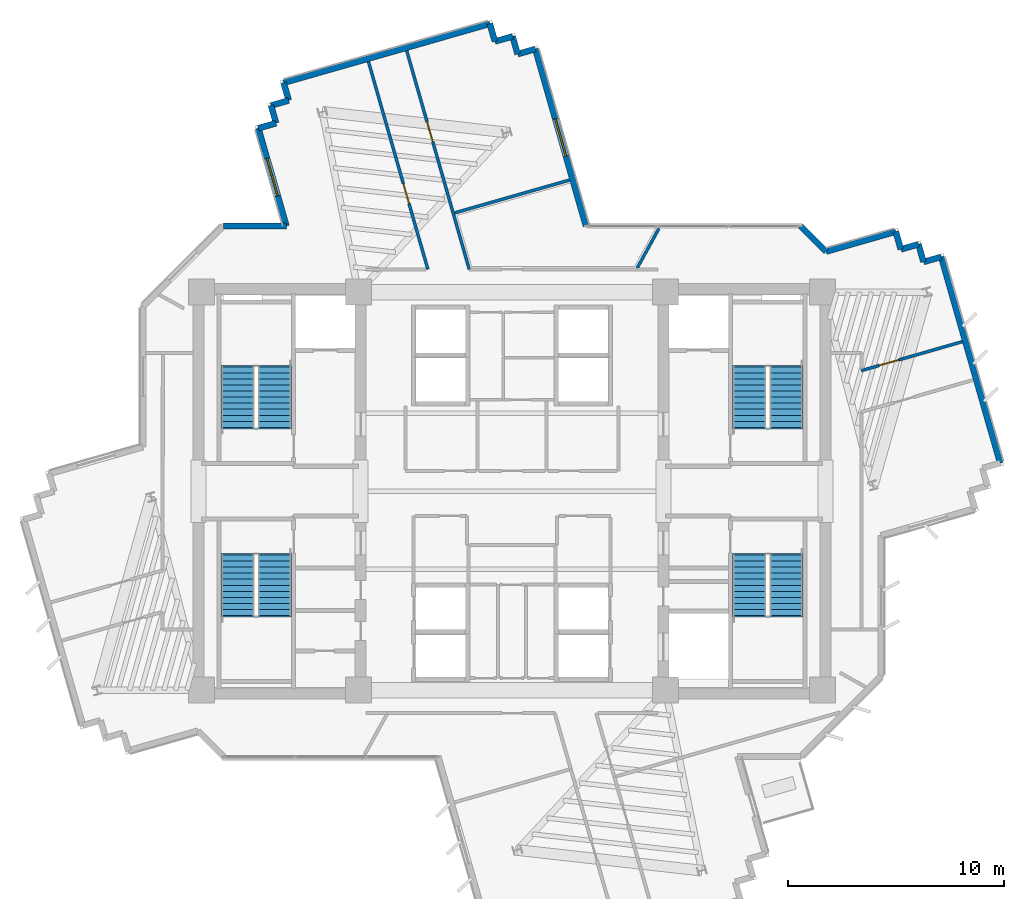
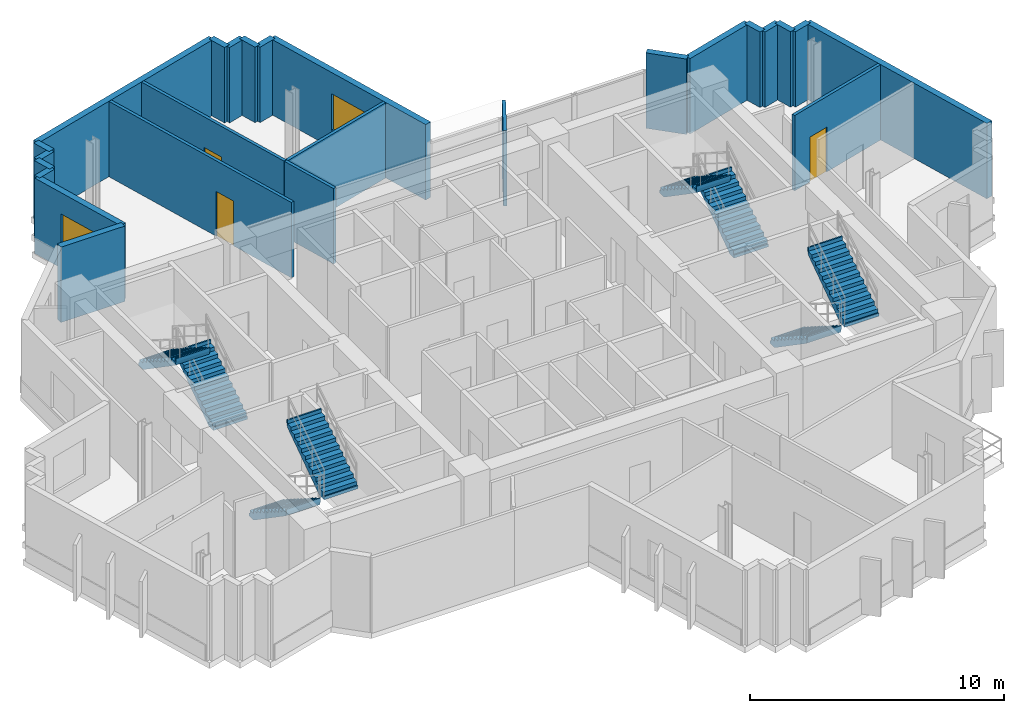
# One storey, part 9 of 14: 25 walls, 8 stair flights, 3 doors, 2 windows, 5 openings, 4 elements without a shape of their own.
"""IFC4 building model written with IfcOpenShell, lengths in metres."""

from ifc_helpers import new_model, si_unit, direction, frame, frame_2d, origin, place, context, subcontext, project, spatial, polyline, rectangle, outline, extrude, source, transform, mapped, material, layer, layer_set, type_object, element, fill, aggregate, save


model = new_model("IFC4")

# Units and contexts
model_context = context("Model", 3, precision=1e-05, world=origin(), true_north=direction((0.0, 1.0)))
body_context = subcontext(model_context, "Body", "Model", "MODEL_VIEW")
ifc_project = project(units=[si_unit("LENGTHUNIT", "METRE"), si_unit("AREAUNIT", "SQUARE_METRE"), si_unit("VOLUMEUNIT", "CUBIC_METRE"), si_unit("PLANEANGLEUNIT", "RADIAN"), si_unit("MASSUNIT", "GRAM", prefix="KILO")], contexts=[model_context])

# Site, building, storey
site_placement = place(None, origin())
site = spatial("IfcSite", under=ifc_project, at=site_placement, CompositionType="ELEMENT")
building_placement = place(site_placement, origin())
building = spatial("IfcBuilding", under=site, at=building_placement, Name="Zahravan Cultural Tower", CompositionType="ELEMENT")
storey_placement = place(building_placement, frame((0.0, 0.0, 209.699951171875)))
storey = spatial("IfcBuildingStorey", under=building, at=storey_placement, Name="L49", CompositionType="ELEMENT", Elevation=209.699951171875)

# Wall, opening, window
ifc_material_1 = material(Name="Precast concrete C40/50", Category="concrete")
ifc_layer_1 = layer(ifc_material_1, 0.280029296875)
ifc_layer_set_1 = layer_set([ifc_layer_1], Name="Precast concrete C40/50")
wall_type_1 = type_object("IfcWallType", Name="EW-TC-280", PredefinedType="SOLIDWALL", material=ifc_layer_set_1)
wall_1_placement = place(storey_placement, frame((25.56689453125, 39.260009765625, 0.0), z_axis=(0.0, 0.0, 1.0), x_axis=(-0.274981611661, 0.961449485542, 0.0)))
wall_1 = element("IfcWall", 1, at=wall_1_placement, inside=storey, type_object=wall_type_1, Name="L49 Exterior Masonry Frame Wall 41", PredefinedType="SOLIDWALL", context=body_context, shape_type="SweptSolid", body=[
    extrude(rectangle(XDim=4.703857421875, YDim=0.280029296875, at=frame_2d((2.35205078125, 0.0))), origin(), (0.0, 0.0, 1.0), 3.6201171875),
])
opening_1_placement = place(wall_1_placement, frame((1.451904296875, 0.0, 0.85009765625)))
opening_1 = element("IfcOpeningElement", 2, at=opening_1_placement, cuts=wall_1, Name="Opening WN-02", PredefinedType="OPENING", context=body_context, shape_type="SweptSolid", body=[
    extrude(rectangle(XDim=1.800048828125, YDim=1.75, at=frame_2d((0.89990234375, 0.875))), frame((0.0, 0.14990234375, 0.0), z_axis=(0.0, -1.0, 0.0), x_axis=(1.0, 0.0, 0.0)), (0.0, 0.0, 1.0), 0.300048828125),
])
ifc_material_2 = material(Name="Low-E solar-control double glazing", Category="glass")
window_type = type_object("IfcWindowType", Name="WN-REC-1800X1750", PartitioningType="DOUBLE_PANEL_VERTICAL", PredefinedType="WINDOW", material=ifc_material_2)
shared_shape_1 = source(origin(), body_context, "Body", "SweptSolid", [
    extrude(rectangle(XDim=1.800048828125, YDim=1.75, at=frame_2d((0.89990234375, 0.875))), frame((0.0, 0.030029296875, 0.0), z_axis=(0.0, -1.0, 0.0), x_axis=(1.0, 0.0, 0.0)), (0.0, 0.0, 1.0), 0.06005859375),
])
window_1_placement = place(opening_1_placement, origin())
window_1 = element("IfcWindow", 3, at=window_1_placement, inside=storey, type_object=window_type, Name="L49 Recessed Solar Window 07", OverallHeight=1.75, OverallWidth=1.800048828125, PartitioningType="DOUBLE_PANEL_VERTICAL", PredefinedType="WINDOW", context=body_context, shape_type="MappedRepresentation", body=[
    mapped(shared_shape_1, transform((0.0, 0.0, 0.0), x_axis=(1.0, 0.0, 0.0), y_axis=(0.0, 1.0, 0.0), z_axis=(0.0, 0.0, 1.0), scale=1.0)),
])
fill(opening_1, window_1)

wall_2_placement = place(storey_placement, frame((37.079833984375, 47.445068359375, 0.0), z_axis=(0.0, 0.0, 1.0), x_axis=(0.27496352843, -0.961454657295, 0.0)))
wall_2 = element("IfcWall", 4, at=wall_2_placement, inside=storey, type_object=wall_type_1, Name="L49 Exterior Masonry Frame Wall 51", PredefinedType="SOLIDWALL", context=body_context, shape_type="SweptSolid", body=[
    extrude(rectangle(XDim=8.51318359375, YDim=0.280029296875, at=frame_2d((4.256591796875, 0.0))), origin(), (0.0, 0.0, 1.0), 3.6201171875),
])
opening_2_placement = place(wall_2_placement, frame((3.35693359375, 0.0, 0.85009765625)))
opening_2 = element("IfcOpeningElement", 5, at=opening_2_placement, cuts=wall_2, Name="Opening WN-02", PredefinedType="OPENING", context=body_context, shape_type="SweptSolid", body=[
    extrude(rectangle(XDim=1.800048828125, YDim=1.75, at=frame_2d((0.89990234375, 0.875))), frame((0.0, 0.14990234375, 0.0), z_axis=(0.0, -1.0, 0.0), x_axis=(1.0, 0.0, 0.0)), (0.0, 0.0, 1.0), 0.300048828125),
])
window_2_placement = place(opening_2_placement, origin())
window_2 = element("IfcWindow", 6, at=window_2_placement, inside=storey, type_object=window_type, Name="L49 Recessed Solar Window 08", OverallHeight=1.75, OverallWidth=1.800048828125, PartitioningType="DOUBLE_PANEL_VERTICAL", PredefinedType="WINDOW", context=body_context, shape_type="MappedRepresentation", body=[
    mapped(shared_shape_1, transform((0.0, 0.0, 0.0), x_axis=(1.0, 0.0, 0.0), y_axis=(0.0, 1.0, 0.0), z_axis=(0.0, 0.0, 1.0), scale=1.0)),
])
fill(opening_2, window_2)

# Wall, opening, door
ifc_material_3 = material(Name="Gypsum plasterboard partition")
ifc_layer_2 = layer(ifc_material_3, 0.139892578125)
ifc_layer_set_2 = layer_set([ifc_layer_2], Name="Gypsum plasterboard partition")
wall_type_2 = type_object("IfcWallType", Name="W-PART-140", PredefinedType="PARTITIONING", material=ifc_layer_set_2)
wall_3_placement = place(storey_placement, frame((33.277099609375, 39.8671875, 0.0), z_axis=(0.0, 0.0, 1.0), x_axis=(-0.274985856522, 0.96144827147, 0.0)))
wall_3 = element("IfcWall", 7, at=wall_3_placement, inside=storey, type_object=wall_type_2, Name="L49 Interior Wall 102", PredefinedType="PARTITIONING", context=body_context, shape_type="SweptSolid", body=[
    extrude(rectangle(XDim=7.795166015625, YDim=0.139892578125, at=frame_2d((3.8974609375, 0.0))), origin(), (0.0, 0.0, 1.0), 3.6201171875),
])
opening_3_placement = place(wall_3_placement, frame((3.422607421875, 0.0, 0.0)))
opening_3 = element("IfcOpeningElement", 8, at=opening_3_placement, cuts=wall_3, Name="Opening D-L49-26", PredefinedType="OPENING", context=body_context, shape_type="SweptSolid", body=[
    extrude(rectangle(XDim=0.949951171875, YDim=2.14990234375, at=frame_2d((0.47509765625, 1.074951171875))), frame((0.0, 0.079833984375, 0.0), z_axis=(0.0, -1.0, 0.0), x_axis=(1.0, 0.0, 0.0)), (0.0, 0.0, 1.0), 0.159912109375),
])
ifc_material_4 = material(Name="Anodised bronze-aluminium mullion", Category="aluminium")
door_type = type_object("IfcDoorType", Name="DR-ROOM-950", OperationType="NOTDEFINED", PredefinedType="DOOR", material=ifc_material_4)
shared_shape_2 = source(origin(), body_context, "Body", "SweptSolid", [
    extrude(rectangle(XDim=0.949951171875, YDim=2.14990234375, at=frame_2d((0.47509765625, 1.074951171875))), frame((0.0, 0.02490234375, 0.0), z_axis=(0.0, -1.0, 0.0), x_axis=(1.0, 0.0, 0.0)), (0.0, 0.0, 1.0), 0.050048828125),
])
door_1_placement = place(opening_3_placement, origin())
door_1 = element("IfcDoor", 9, at=door_1_placement, inside=storey, type_object=door_type, Name="L49 Door D-L49-26", OperationType="SINGLE_SWING_RIGHT", OverallHeight=2.14990234375, OverallWidth=0.949951171875, PredefinedType="DOOR", context=body_context, shape_type="MappedRepresentation", body=[
    mapped(shared_shape_2, transform((0.0, 0.0, 0.0), x_axis=(1.0, 0.0, 0.0), y_axis=(0.0, 1.0, 0.0), z_axis=(0.0, 0.0, 1.0), scale=1.0)),
])
fill(opening_3, door_1)

wall_4_placement = place(storey_placement, frame((56.8173828125, 33.910400390625, 0.0), z_axis=(0.0, 0.0, 1.0), x_axis=(-0.961461296262, -0.274940313143, 0.0)))
wall_4 = element("IfcWall", 10, at=wall_4_placement, inside=storey, type_object=wall_type_2, Name="L49 Interior Wall 112", PredefinedType="PARTITIONING", context=body_context, shape_type="SweptSolid", body=[
    extrude(rectangle(XDim=4.8544921875, YDim=0.139892578125, at=frame_2d((2.42724609375, 0.0))), origin(), (0.0, 0.0, 1.0), 3.6201171875),
])
opening_4_placement = place(wall_4_placement, frame((3.04541015625, 0.0, 0.0)))
opening_4 = element("IfcOpeningElement", 11, at=opening_4_placement, cuts=wall_4, Name="Opening D-L49-24", PredefinedType="OPENING", context=body_context, shape_type="SweptSolid", body=[
    extrude(rectangle(XDim=0.949951171875, YDim=2.14990234375, at=frame_2d((0.47509765625, 1.074951171875))), frame((0.0, 0.079833984375, 0.0), z_axis=(0.0, -1.0, 0.0), x_axis=(1.0, 0.0, 0.0)), (0.0, 0.0, 1.0), 0.159912109375),
])
door_2_placement = place(opening_4_placement, origin())
door_2 = element("IfcDoor", 12, at=door_2_placement, inside=storey, type_object=door_type, Name="L49 Door D-L49-24", OperationType="SINGLE_SWING_RIGHT", OverallHeight=2.14990234375, OverallWidth=0.949951171875, PredefinedType="DOOR", context=body_context, shape_type="MappedRepresentation", body=[
    mapped(shared_shape_2, transform((0.0, 0.0, 0.0), x_axis=(1.0, 0.0, 0.0), y_axis=(0.0, 1.0, 0.0), z_axis=(0.0, 0.0, 1.0), scale=1.0)),
])
fill(opening_4, door_2)

wall_5_placement = place(storey_placement, frame((29.364501953125, 46.85595703125, 0.0), z_axis=(0.0, 0.0, 1.0), x_axis=(0.274969885882, -0.961452839123, 0.0)))
wall_5 = element("IfcWall", 13, at=wall_5_placement, inside=storey, type_object=wall_type_2, Name="L49 Interior Wall 120", PredefinedType="PARTITIONING", context=body_context, shape_type="SweptSolid", body=[
    extrude(rectangle(XDim=9.980712890625, YDim=0.139892578125, at=frame_2d((4.990234375, 0.0))), origin(), (0.0, 0.0, 1.0), 3.6201171875),
])
opening_5_placement = place(wall_5_placement, frame((5.869873046875, 0.0, 0.0)))
opening_5 = element("IfcOpeningElement", 14, at=opening_5_placement, cuts=wall_5, Name="Opening D-L49-27", PredefinedType="OPENING", context=body_context, shape_type="SweptSolid", body=[
    extrude(rectangle(XDim=0.949951171875, YDim=2.14990234375, at=frame_2d((0.47509765625, 1.074951171875))), frame((0.0, 0.079833984375, 0.0), z_axis=(0.0, -1.0, 0.0), x_axis=(1.0, 0.0, 0.0)), (0.0, 0.0, 1.0), 0.159912109375),
])
door_3_placement = place(opening_5_placement, origin())
door_3 = element("IfcDoor", 15, at=door_3_placement, inside=storey, type_object=door_type, Name="L49 Door D-L49-27", OperationType="SINGLE_SWING_LEFT", OverallHeight=2.14990234375, OverallWidth=0.949951171875, PredefinedType="DOOR", context=body_context, shape_type="MappedRepresentation", body=[
    mapped(shared_shape_2, transform((0.0, 0.0, 0.0), x_axis=(1.0, 0.0, 0.0), y_axis=(0.0, 1.0, 0.0), z_axis=(0.0, 0.0, 1.0), scale=1.0)),
])
fill(opening_5, door_3)

# Walls
shared_shape_3 = source(origin(), body_context, "Body", "SweptSolid", [
    extrude(rectangle(XDim=0.85009765625, YDim=0.280029296875, at=frame_2d((0.425048828125, 0.0))), origin(), (0.0, 0.0, 1.0), 3.6201171875),
])
for number, where, z_axis, x_axis, name in (
    (16, (53.743896484375, 39.001708984375, 0.0), (0.0, 0.0, 1.0), (0.275100375961, -0.961415510144, 0.0), "L49 Exterior Masonry Frame Wall 02"),
    (17, (54.794921875, 38.418212890625, 0.0), (0.0, 0.0, 1.0), (0.274834915789, -0.961491429532, 0.0), "L49 Exterior Masonry Frame Wall 04"),
    (18, (25.090576171875, 44.01611328125, 0.0), (0.0, 0.0, 1.0), (-0.274834915789, 0.961491429532, 0.0), "L49 Exterior Masonry Frame Wall 43"),
    (19, (25.674072265625, 45.067138671875, 0.0), (0.0, 0.0, 1.0), (-0.274834915789, 0.961491429532, 0.0), "L49 Exterior Masonry Frame Wall 45"),
    (20, (36.029052734375, 48.028564453125, 0.0), (0.0, 0.0, 1.0), (0.274834915789, -0.961491429532, 0.0), "L49 Exterior Masonry Frame Wall 49"),
):
    element("IfcWall", number, at=place(storey_placement, frame(where, z_axis=z_axis, x_axis=x_axis)), inside=storey, type_object=wall_type_1, Name=name, PredefinedType="SOLIDWALL", context=body_context, shape_type="MappedRepresentation", body=[
        mapped(shared_shape_3, transform((0.0, 0.0, 0.0), x_axis=(1.0, 0.0, 0.0), y_axis=(0.0, 1.0, 0.0), z_axis=(0.0, 0.0, 1.0), scale=1.0)),
    ])
shared_shape_4 = source(origin(), body_context, "Body", "SweptSolid", [
    extrude(rectangle(XDim=0.849853515625, YDim=0.280029296875, at=frame_2d((0.4248046875, 0.0))), origin(), (0.0, 0.0, 1.0), 3.6201171875),
])
for number, where, z_axis, x_axis, name in (
    (21, (53.977783203125, 38.184326171875, 0.0), (0.0, 0.0, 1.0), (0.961393768724, 0.275176346112, 0.0), "L49 Exterior Masonry Frame Wall 03"),
    (22, (55.028564453125, 37.600830078125, 0.0), (0.0, 0.0, 1.0), (0.961393768724, 0.275176346112, 0.0), "L49 Exterior Masonry Frame Wall 05"),
    (23, (24.2734375, 43.782470703125, 0.0), (0.0, 0.0, 1.0), (0.961469728335, 0.274910824624, 0.0), "L49 Exterior Masonry Frame Wall 42"),
    (24, (24.85693359375, 44.83349609375, 0.0), (0.0, 0.0, 1.0), (0.961469728335, 0.274910824624, 0.0), "L49 Exterior Masonry Frame Wall 44"),
    (25, (34.97802734375, 48.612060546875, 0.0), (0.0, 0.0, 1.0), (0.275176346112, -0.961393768724, 0.0), "L49 Exterior Masonry Frame Wall 47"),
    (26, (35.2119140625, 47.794921875, 0.0), (0.0, 0.0, 1.0), (0.961469728335, 0.274910824624, 0.0), "L49 Exterior Masonry Frame Wall 48"),
    (27, (36.2626953125, 47.211181640625, 0.0), (0.0, 0.0, 1.0), (0.961393768724, 0.275176346112, 0.0), "L49 Exterior Masonry Frame Wall 50"),
):
    element("IfcWall", number, at=place(storey_placement, frame(where, z_axis=z_axis, x_axis=x_axis)), inside=storey, type_object=wall_type_1, Name=name, PredefinedType="SOLIDWALL", context=body_context, shape_type="MappedRepresentation", body=[
        mapped(shared_shape_4, transform((0.0, 0.0, 0.0), x_axis=(1.0, 0.0, 0.0), y_axis=(0.0, 1.0, 0.0), z_axis=(0.0, 0.0, 1.0), scale=1.0)),
    ])
shared_shape_5 = source(origin(), body_context, "Body", "SweptSolid", [
    extrude(rectangle(XDim=9.919921875, YDim=0.280029296875, at=frame_2d((4.9599609375, 0.0))), origin(), (0.0, 0.0, 1.0), 3.6201171875),
])
wall_6_placement = place(storey_placement, frame((25.4404296875, 45.884521484375, 0.0), z_axis=(0.0, 0.0, 1.0), x_axis=(0.961457051276, 0.274955157346, 0.0)))
element("IfcWall", 28, at=wall_6_placement, inside=storey, type_object=wall_type_1, Name="L49 Exterior Masonry Frame Wall 46", PredefinedType="SOLIDWALL", context=body_context, shape_type="MappedRepresentation", body=[
    mapped(shared_shape_5, transform((0.0, 0.0, 0.0), x_axis=(1.0, 0.0, 0.0), y_axis=(0.0, 1.0, 0.0), z_axis=(0.0, 0.0, 1.0), scale=1.0)),
])
shared_shape_6 = source(origin(), body_context, "Body", "SweptSolid", [
    extrude(rectangle(XDim=9.920166015625, YDim=0.280029296875, at=frame_2d((4.9599609375, 0.0))), origin(), (0.0, 0.0, 1.0), 3.6201171875),
])
wall_7_placement = place(storey_placement, frame((55.845703125, 37.834716796875, 0.0), z_axis=(0.0, 0.0, 1.0), x_axis=(0.274971401171, -0.961452405758, 0.0)))
element("IfcWall", 29, at=wall_7_placement, inside=storey, type_object=wall_type_1, Name="L49 Exterior Masonry Frame Wall 06", PredefinedType="SOLIDWALL", context=body_context, shape_type="MappedRepresentation", body=[
    mapped(shared_shape_6, transform((0.0, 0.0, 0.0), x_axis=(1.0, 0.0, 0.0), y_axis=(0.0, 1.0, 0.0), z_axis=(0.0, 0.0, 1.0), scale=1.0)),
])
shared_shape_7 = source(origin(), body_context, "Body", "SweptSolid", [
    extrude(rectangle(XDim=3.35107421875, YDim=0.280029296875, at=frame_2d((1.675537109375, 0.0))), origin(), (0.0, 0.0, 1.0), 3.6201171875),
])
wall_8_placement = place(storey_placement, frame((50.52197265625, 38.080078125, 0.0), z_axis=(0.0, 0.0, 1.0), x_axis=(0.961438677319, 0.275019398869, 0.0)))
element("IfcWall", 30, at=wall_8_placement, inside=storey, type_object=wall_type_1, Name="L49 Exterior Masonry Frame Wall 01", PredefinedType="SOLIDWALL", context=body_context, shape_type="MappedRepresentation", body=[
    mapped(shared_shape_7, transform((0.0, 0.0, 0.0), x_axis=(1.0, 0.0, 0.0), y_axis=(0.0, 1.0, 0.0), z_axis=(0.0, 0.0, 1.0), scale=1.0)),
])
shared_shape_8 = source(origin(), body_context, "Body", "SweptSolid", [
    extrude(rectangle(XDim=2.908935546875, YDim=0.280029296875, at=frame_2d((1.45458984375, 0.0))), origin(), (0.0, 0.0, 1.0), 3.6201171875),
])
wall_9_placement = place(storey_placement, frame((22.657958984375, 39.260009765625, 0.0), z_axis=(0.0, 0.0, 1.0), x_axis=(1.0, 0.0, 0.0)))
element("IfcWall", 31, at=wall_9_placement, inside=storey, type_object=wall_type_1, Name="L49 Exterior Masonry Frame Wall 40", PredefinedType="SOLIDWALL", context=body_context, shape_type="MappedRepresentation", body=[
    mapped(shared_shape_8, transform((0.0, 0.0, 0.0), x_axis=(1.0, 0.0, 0.0), y_axis=(0.0, 1.0, 0.0), z_axis=(0.0, 0.0, 1.0), scale=1.0)),
])
shared_shape_9 = source(origin(), body_context, "Body", "SweptSolid", [
    extrude(rectangle(XDim=1.668701171875, YDim=0.280029296875, at=frame_2d((0.83447265625, 0.0))), origin(), (0.0, 0.0, 1.0), 3.6201171875),
])
wall_10_placement = place(storey_placement, frame((49.342041015625, 39.260009765625, 0.0), z_axis=(0.0, 0.0, 1.0), x_axis=(0.707106781187, -0.707106781187, 0.0)))
element("IfcWall", 32, at=wall_10_placement, inside=storey, type_object=wall_type_1, Name="L49 Exterior Masonry Frame Wall 52", PredefinedType="SOLIDWALL", context=body_context, shape_type="MappedRepresentation", body=[
    mapped(shared_shape_9, transform((0.0, 0.0, 0.0), x_axis=(1.0, 0.0, 0.0), y_axis=(0.0, 1.0, 0.0), z_axis=(0.0, 0.0, 1.0), scale=1.0)),
])
shared_shape_10 = source(origin(), body_context, "Body", "SweptSolid", [
    extrude(rectangle(XDim=2.691650390625, YDim=0.139892578125, at=frame_2d((1.345703125, 0.0))), origin(), (0.0, 0.0, 1.0), 3.6201171875),
])
wall_11_placement = place(storey_placement, frame((34.022705078125, 37.260009765625, 0.0), z_axis=(0.0, 0.0, 1.0), x_axis=(-0.27500862401, 0.961441759401, 0.0)))
element("IfcWall", 33, at=wall_11_placement, inside=storey, type_object=wall_type_2, Name="L49 Interior Wall 093", PredefinedType="PARTITIONING", context=body_context, shape_type="MappedRepresentation", body=[
    mapped(shared_shape_10, transform((0.0, 0.0, 0.0), x_axis=(1.0, 0.0, 0.0), y_axis=(0.0, 1.0, 0.0), z_axis=(0.0, 0.0, 1.0), scale=1.0)),
])
shared_shape_11 = source(origin(), body_context, "Body", "SweptSolid", [
    extrude(rectangle(XDim=5.520263671875, YDim=0.139892578125, at=frame_2d((2.76025390625, 0.0))), origin(), (0.0, 0.0, 1.0), 3.6201171875),
])
wall_12_placement = place(storey_placement, frame((33.3544921875, 39.86865234375, 0.0), z_axis=(0.0, 0.0, 1.0), x_axis=(0.961455490798, 0.274960613933, 0.0)))
element("IfcWall", 34, at=wall_12_placement, inside=storey, type_object=wall_type_2, Name="L49 Interior Wall 094", PredefinedType="PARTITIONING", context=body_context, shape_type="MappedRepresentation", body=[
    mapped(shared_shape_11, transform((0.0, 0.0, 0.0), x_axis=(1.0, 0.0, 0.0), y_axis=(0.0, 1.0, 0.0), z_axis=(0.0, 0.0, 1.0), scale=1.0)),
])
shared_shape_12 = source(origin(), body_context, "Body", "SweptSolid", [
    extrude(rectangle(XDim=2.079833984375, YDim=0.139892578125, at=frame_2d((1.0400390625, 0.0))), origin(), (0.0, 0.0, 1.0), 3.6201171875),
])
wall_13_placement = place(storey_placement, frame((42.792236328125, 39.14501953125, 0.0), z_axis=(0.0, 0.0, 1.0), x_axis=(-0.481301259497, -0.87655524504, 0.0)))
element("IfcWall", 35, at=wall_13_placement, inside=storey, type_object=wall_type_2, Name="L49 Interior Wall 095", PredefinedType="PARTITIONING", context=body_context, shape_type="MappedRepresentation", body=[
    mapped(shared_shape_12, transform((0.0, 0.0, 0.0), x_axis=(1.0, 0.0, 0.0), y_axis=(0.0, 1.0, 0.0), z_axis=(0.0, 0.0, 1.0), scale=1.0)),
])

# Stair, stair flights
ifc_material_5 = material(Name="Concrete C45/55", Category="concrete")
stair_type = type_object("IfcStairType", Name="STR-DL-1550-390", PredefinedType="HALF_TURN_STAIR", material=ifc_material_5)
stair_1_placement = place(storey_placement, origin())
stair_1 = element("IfcStair", 36, at=stair_1_placement, inside=storey, type_object=stair_type, Name="L49 West Core North Exit Stair ST-W1", PredefinedType="HALF_TURN_STAIR")
stair_flight_type = type_object("IfcStairFlightType", Name="FLG-DL-1550-390", PredefinedType="STRAIGHT", material=ifc_material_5)
stair_flight_1_placement = place(storey_placement, frame((25.02490234375, 29.949951171875, 0.0), z_axis=(0.0, 0.0, 1.0), x_axis=(0.0, 1.0, 0.0)))
stair_flight_1 = element("IfcStairFlight", 37, at=stair_flight_1_placement, type_object=stair_flight_type, Name="ST-W1 flight 1", NumberOfRisers=11, NumberOfTreads=10, PredefinedType="STRAIGHT", RiserHeight=0.177272727, TreadLength=0.28, context=body_context, shape_type="SweptSolid", body=[
    extrude(outline(polyline([(-0.06494140625, -0.139892578125), (-0.06494140625, 0.0), (0.0, 0.0), (0.0, 0.17724609375), (0.280029296875, 0.17724609375), (0.280029296875, 0.3544921875), (0.56005859375, 0.3544921875), (0.56005859375, 0.53173828125), (0.840087890625, 0.53173828125), (0.840087890625, 0.708984375), (1.1201171875, 0.708984375), (1.1201171875, 0.886474609375), (1.39990234375, 0.886474609375), (1.39990234375, 1.063720703125), (1.679931640625, 1.063720703125), (1.679931640625, 1.240966796875), (1.9599609375, 1.240966796875), (1.9599609375, 1.418212890625), (2.239990234375, 1.418212890625), (2.239990234375, 1.595458984375), (2.52001953125, 1.595458984375), (2.52001953125, 1.772705078125), (2.800048828125, 1.772705078125), (2.800048828125, 1.949951171875), (2.864990234375, 1.949951171875), (2.864990234375, 1.800048828125), (2.800048828125, 1.59521484375), (0.2802734375, -0.139892578125), (-0.06494140625, -0.139892578125)])), frame((0.0, 0.77490234375, 0.0), z_axis=(0.0, -1.0, 0.0), x_axis=(1.0, 0.0, 0.0)), (0.0, 0.0, 1.0), 1.550048828125),
])
stair_flight_2_placement = place(storey_placement, frame((23.324951171875, 32.75, 1.949951171875), z_axis=(0.0, 0.0, 1.0), x_axis=(0.0, -1.0, 0.0)))
stair_flight_2 = element("IfcStairFlight", 38, at=stair_flight_2_placement, type_object=stair_flight_type, Name="ST-W1 flight 2", NumberOfRisers=11, NumberOfTreads=10, PredefinedType="STRAIGHT", RiserHeight=0.177272727, TreadLength=0.28, context=body_context, shape_type="SweptSolid", body=[
    extrude(outline(polyline([(-0.06494140625, -0.139892578125), (-0.06494140625, 0.0), (0.0, 0.0), (0.0, 0.17724609375), (0.280029296875, 0.17724609375), (0.280029296875, 0.3544921875), (0.56005859375, 0.3544921875), (0.56005859375, 0.53173828125), (0.840087890625, 0.53173828125), (0.840087890625, 0.708984375), (1.1201171875, 0.708984375), (1.1201171875, 0.886474609375), (1.39990234375, 0.886474609375), (1.39990234375, 1.063720703125), (1.679931640625, 1.063720703125), (1.679931640625, 1.240966796875), (1.9599609375, 1.240966796875), (1.9599609375, 1.418212890625), (2.239990234375, 1.418212890625), (2.239990234375, 1.595458984375), (2.52001953125, 1.595458984375), (2.52001953125, 1.772705078125), (2.800048828125, 1.772705078125), (2.800048828125, 1.949951171875), (2.864990234375, 1.949951171875), (2.864990234375, 1.800048828125), (2.800048828125, 1.59521484375), (0.2802734375, -0.139892578125), (-0.06494140625, -0.139892578125)])), frame((0.0, 0.77490234375, 0.0), z_axis=(0.0, -1.0, 0.0), x_axis=(1.0, 0.0, 0.0)), (0.0, 0.0, 1.0), 1.550048828125),
])
aggregate(stair_1, [stair_flight_1, stair_flight_2])

stair_2_placement = place(storey_placement, origin())
stair_2 = element("IfcStair", 39, at=stair_2_placement, inside=storey, type_object=stair_type, Name="L49 West Core South Exit Stair ST-W2", PredefinedType="HALF_TURN_STAIR")
stair_flight_3_placement = place(storey_placement, frame((23.324951171875, 24.050048828125, 0.0), z_axis=(0.0, 0.0, 1.0), x_axis=(0.0, -1.0, 0.0)))
stair_flight_3 = element("IfcStairFlight", 40, at=stair_flight_3_placement, type_object=stair_flight_type, Name="ST-W2 flight 1", NumberOfRisers=11, NumberOfTreads=10, PredefinedType="STRAIGHT", RiserHeight=0.177272727, TreadLength=0.28, context=body_context, shape_type="SweptSolid", body=[
    extrude(outline(polyline([(-0.06494140625, -0.139892578125), (-0.06494140625, 0.0), (0.0, 0.0), (0.0, 0.17724609375), (0.280029296875, 0.17724609375), (0.280029296875, 0.3544921875), (0.56005859375, 0.3544921875), (0.56005859375, 0.53173828125), (0.840087890625, 0.53173828125), (0.840087890625, 0.708984375), (1.1201171875, 0.708984375), (1.1201171875, 0.886474609375), (1.39990234375, 0.886474609375), (1.39990234375, 1.063720703125), (1.679931640625, 1.063720703125), (1.679931640625, 1.240966796875), (1.9599609375, 1.240966796875), (1.9599609375, 1.418212890625), (2.239990234375, 1.418212890625), (2.239990234375, 1.595458984375), (2.52001953125, 1.595458984375), (2.52001953125, 1.772705078125), (2.800048828125, 1.772705078125), (2.800048828125, 1.949951171875), (2.864990234375, 1.949951171875), (2.864990234375, 1.800048828125), (2.800048828125, 1.59521484375), (0.2802734375, -0.139892578125), (-0.06494140625, -0.139892578125)])), frame((0.0, 0.77490234375, 0.0), z_axis=(0.0, -1.0, 0.0), x_axis=(1.0, 0.0, 0.0)), (0.0, 0.0, 1.0), 1.550048828125),
])
stair_flight_4_placement = place(storey_placement, frame((25.02490234375, 21.25, 1.949951171875), z_axis=(0.0, 0.0, 1.0), x_axis=(0.0, 1.0, 0.0)))
stair_flight_4 = element("IfcStairFlight", 41, at=stair_flight_4_placement, type_object=stair_flight_type, Name="ST-W2 flight 2", NumberOfRisers=11, NumberOfTreads=10, PredefinedType="STRAIGHT", RiserHeight=0.177272727, TreadLength=0.28, context=body_context, shape_type="SweptSolid", body=[
    extrude(outline(polyline([(-0.06494140625, -0.139892578125), (-0.06494140625, 0.0), (0.0, 0.0), (0.0, 0.17724609375), (0.280029296875, 0.17724609375), (0.280029296875, 0.3544921875), (0.56005859375, 0.3544921875), (0.56005859375, 0.53173828125), (0.840087890625, 0.53173828125), (0.840087890625, 0.708984375), (1.1201171875, 0.708984375), (1.1201171875, 0.886474609375), (1.39990234375, 0.886474609375), (1.39990234375, 1.063720703125), (1.679931640625, 1.063720703125), (1.679931640625, 1.240966796875), (1.9599609375, 1.240966796875), (1.9599609375, 1.418212890625), (2.239990234375, 1.418212890625), (2.239990234375, 1.595458984375), (2.52001953125, 1.595458984375), (2.52001953125, 1.772705078125), (2.800048828125, 1.772705078125), (2.800048828125, 1.949951171875), (2.864990234375, 1.949951171875), (2.864990234375, 1.800048828125), (2.800048828125, 1.59521484375), (0.2802734375, -0.139892578125), (-0.06494140625, -0.139892578125)])), frame((0.0, 0.77490234375, 0.0), z_axis=(0.0, -1.0, 0.0), x_axis=(1.0, 0.0, 0.0)), (0.0, 0.0, 1.0), 1.550048828125),
])
aggregate(stair_2, [stair_flight_3, stair_flight_4])

stair_3_placement = place(storey_placement, origin())
stair_3 = element("IfcStair", 42, at=stair_3_placement, inside=storey, type_object=stair_type, Name="L49 East Core North Exit Stair ST-E1", PredefinedType="HALF_TURN_STAIR")
stair_flight_5_placement = place(storey_placement, frame((48.675048828125, 29.949951171875, 0.0), z_axis=(0.0, 0.0, 1.0), x_axis=(0.0, 1.0, 0.0)))
stair_flight_5 = element("IfcStairFlight", 43, at=stair_flight_5_placement, type_object=stair_flight_type, Name="ST-E1 flight 1", NumberOfRisers=11, NumberOfTreads=10, PredefinedType="STRAIGHT", RiserHeight=0.177272727, TreadLength=0.28, context=body_context, shape_type="SweptSolid", body=[
    extrude(outline(polyline([(-0.06494140625, -0.139892578125), (-0.06494140625, 0.0), (0.0, 0.0), (0.0, 0.17724609375), (0.280029296875, 0.17724609375), (0.280029296875, 0.3544921875), (0.56005859375, 0.3544921875), (0.56005859375, 0.53173828125), (0.840087890625, 0.53173828125), (0.840087890625, 0.708984375), (1.1201171875, 0.708984375), (1.1201171875, 0.886474609375), (1.39990234375, 0.886474609375), (1.39990234375, 1.063720703125), (1.679931640625, 1.063720703125), (1.679931640625, 1.240966796875), (1.9599609375, 1.240966796875), (1.9599609375, 1.418212890625), (2.239990234375, 1.418212890625), (2.239990234375, 1.595458984375), (2.52001953125, 1.595458984375), (2.52001953125, 1.772705078125), (2.800048828125, 1.772705078125), (2.800048828125, 1.949951171875), (2.864990234375, 1.949951171875), (2.864990234375, 1.800048828125), (2.800048828125, 1.59521484375), (0.2802734375, -0.139892578125), (-0.06494140625, -0.139892578125)])), frame((0.0, 0.77490234375, 0.0), z_axis=(0.0, -1.0, 0.0), x_axis=(1.0, 0.0, 0.0)), (0.0, 0.0, 1.0), 1.550048828125),
])
stair_flight_6_placement = place(storey_placement, frame((46.97509765625, 32.75, 1.949951171875), z_axis=(0.0, 0.0, 1.0), x_axis=(0.0, -1.0, 0.0)))
stair_flight_6 = element("IfcStairFlight", 44, at=stair_flight_6_placement, type_object=stair_flight_type, Name="ST-E1 flight 2", NumberOfRisers=11, NumberOfTreads=10, PredefinedType="STRAIGHT", RiserHeight=0.177272727, TreadLength=0.28, context=body_context, shape_type="SweptSolid", body=[
    extrude(outline(polyline([(-0.06494140625, -0.139892578125), (-0.06494140625, 0.0), (0.0, 0.0), (0.0, 0.17724609375), (0.280029296875, 0.17724609375), (0.280029296875, 0.3544921875), (0.56005859375, 0.3544921875), (0.56005859375, 0.53173828125), (0.840087890625, 0.53173828125), (0.840087890625, 0.708984375), (1.1201171875, 0.708984375), (1.1201171875, 0.886474609375), (1.39990234375, 0.886474609375), (1.39990234375, 1.063720703125), (1.679931640625, 1.063720703125), (1.679931640625, 1.240966796875), (1.9599609375, 1.240966796875), (1.9599609375, 1.418212890625), (2.239990234375, 1.418212890625), (2.239990234375, 1.595458984375), (2.52001953125, 1.595458984375), (2.52001953125, 1.772705078125), (2.800048828125, 1.772705078125), (2.800048828125, 1.949951171875), (2.864990234375, 1.949951171875), (2.864990234375, 1.800048828125), (2.800048828125, 1.59521484375), (0.2802734375, -0.139892578125), (-0.06494140625, -0.139892578125)])), frame((0.0, 0.77490234375, 0.0), z_axis=(0.0, -1.0, 0.0), x_axis=(1.0, 0.0, 0.0)), (0.0, 0.0, 1.0), 1.550048828125),
])
aggregate(stair_3, [stair_flight_5, stair_flight_6])

stair_4_placement = place(storey_placement, origin())
stair_4 = element("IfcStair", 45, at=stair_4_placement, inside=storey, type_object=stair_type, Name="L49 East Core South Exit Stair ST-E2", PredefinedType="HALF_TURN_STAIR")
stair_flight_7_placement = place(storey_placement, frame((46.97509765625, 24.050048828125, 0.0), z_axis=(0.0, 0.0, 1.0), x_axis=(0.0, -1.0, 0.0)))
stair_flight_7 = element("IfcStairFlight", 46, at=stair_flight_7_placement, type_object=stair_flight_type, Name="ST-E2 flight 1", NumberOfRisers=11, NumberOfTreads=10, PredefinedType="STRAIGHT", RiserHeight=0.177272727, TreadLength=0.28, context=body_context, shape_type="SweptSolid", body=[
    extrude(outline(polyline([(-0.06494140625, -0.139892578125), (-0.06494140625, 0.0), (0.0, 0.0), (0.0, 0.17724609375), (0.280029296875, 0.17724609375), (0.280029296875, 0.3544921875), (0.56005859375, 0.3544921875), (0.56005859375, 0.53173828125), (0.840087890625, 0.53173828125), (0.840087890625, 0.708984375), (1.1201171875, 0.708984375), (1.1201171875, 0.886474609375), (1.39990234375, 0.886474609375), (1.39990234375, 1.063720703125), (1.679931640625, 1.063720703125), (1.679931640625, 1.240966796875), (1.9599609375, 1.240966796875), (1.9599609375, 1.418212890625), (2.239990234375, 1.418212890625), (2.239990234375, 1.595458984375), (2.52001953125, 1.595458984375), (2.52001953125, 1.772705078125), (2.800048828125, 1.772705078125), (2.800048828125, 1.949951171875), (2.864990234375, 1.949951171875), (2.864990234375, 1.800048828125), (2.800048828125, 1.59521484375), (0.2802734375, -0.139892578125), (-0.06494140625, -0.139892578125)])), frame((0.0, 0.77490234375, 0.0), z_axis=(0.0, -1.0, 0.0), x_axis=(1.0, 0.0, 0.0)), (0.0, 0.0, 1.0), 1.550048828125),
])
stair_flight_8_placement = place(storey_placement, frame((48.675048828125, 21.25, 1.949951171875), z_axis=(0.0, 0.0, 1.0), x_axis=(0.0, 1.0, 0.0)))
stair_flight_8 = element("IfcStairFlight", 47, at=stair_flight_8_placement, type_object=stair_flight_type, Name="ST-E2 flight 2", NumberOfRisers=11, NumberOfTreads=10, PredefinedType="STRAIGHT", RiserHeight=0.177272727, TreadLength=0.28, context=body_context, shape_type="SweptSolid", body=[
    extrude(outline(polyline([(-0.06494140625, -0.139892578125), (-0.06494140625, 0.0), (0.0, 0.0), (0.0, 0.17724609375), (0.280029296875, 0.17724609375), (0.280029296875, 0.3544921875), (0.56005859375, 0.3544921875), (0.56005859375, 0.53173828125), (0.840087890625, 0.53173828125), (0.840087890625, 0.708984375), (1.1201171875, 0.708984375), (1.1201171875, 0.886474609375), (1.39990234375, 0.886474609375), (1.39990234375, 1.063720703125), (1.679931640625, 1.063720703125), (1.679931640625, 1.240966796875), (1.9599609375, 1.240966796875), (1.9599609375, 1.418212890625), (2.239990234375, 1.418212890625), (2.239990234375, 1.595458984375), (2.52001953125, 1.595458984375), (2.52001953125, 1.772705078125), (2.800048828125, 1.772705078125), (2.800048828125, 1.949951171875), (2.864990234375, 1.949951171875), (2.864990234375, 1.800048828125), (2.800048828125, 1.59521484375), (0.2802734375, -0.139892578125), (-0.06494140625, -0.139892578125)])), frame((0.0, 0.77490234375, 0.0), z_axis=(0.0, -1.0, 0.0), x_axis=(1.0, 0.0, 0.0)), (0.0, 0.0, 1.0), 1.550048828125),
])
aggregate(stair_4, [stair_flight_7, stair_flight_8])

save(model, "model.ifc")
